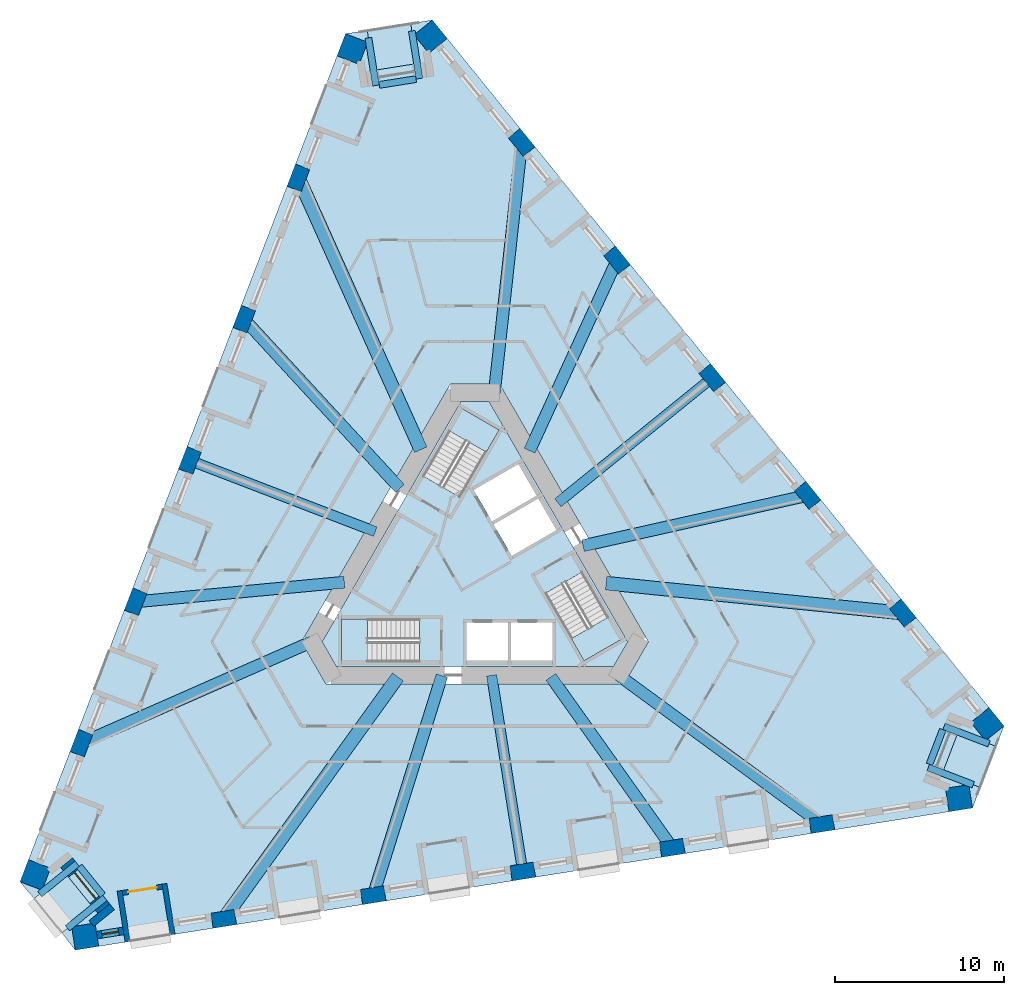
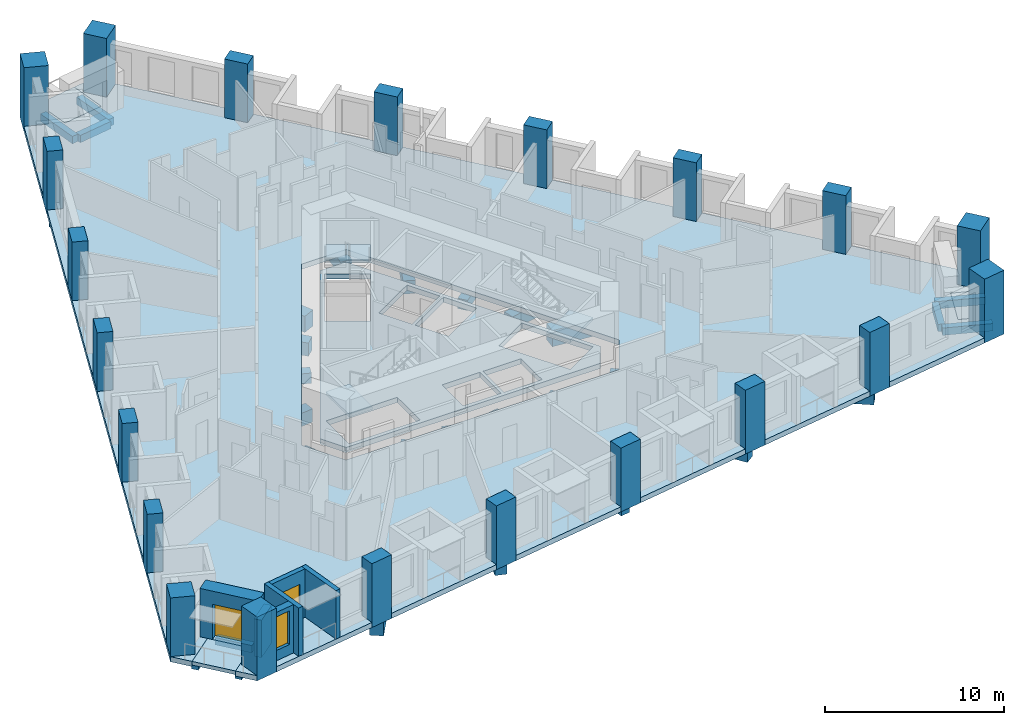
# One storey, part 1 of 13: 24 beams, 21 columns, 8 slabs, 6 walls, 2 doors, 1 window, 3 openings, 3 elements without a shape of their own.
"""IFC4 building model written with IfcOpenShell, lengths in metres."""

from ifc_helpers import new_model, si_unit, direction, frame, frame_2d, origin, origin_2d, place, context, subcontext, project, spatial, polyline, rectangle, outline, extrude, material, layer, layer_set, material_profile, profile_set, type_object, element, fill, aggregate, save


model = new_model("IFC4")

# Units and contexts
model_context = context("Model", 3, precision=1e-05, world=origin(), true_north=direction((0.0, 1.0)))
body_context = subcontext(model_context, "Body", "Model", "MODEL_VIEW")
ifc_project = project(units=[si_unit("LENGTHUNIT", "METRE"), si_unit("AREAUNIT", "SQUARE_METRE"), si_unit("VOLUMEUNIT", "CUBIC_METRE"), si_unit("PLANEANGLEUNIT", "RADIAN"), si_unit("MASSUNIT", "GRAM", prefix="KILO")], contexts=[model_context])

# Site, building, storey
site_placement = place(None, origin())
site = spatial("IfcSite", under=ifc_project, at=site_placement, CompositionType="ELEMENT")
building_placement = place(site_placement, origin())
building = spatial("IfcBuilding", under=site, at=building_placement, Name="Tramontana Tower", CompositionType="ELEMENT")
storey_placement = place(building_placement, frame((0.0, 0.0, 51.199951171875)))
storey = spatial("IfcBuildingStorey", under=building, at=storey_placement, Name="L10", CompositionType="ELEMENT", Elevation=51.199951171875)

# Columns
ifc_material_1 = material(Name="Concrete 70 MPa", Category="concrete")
ifc_material_profile_1 = material_profile(ifc_material_1, rectangle(XDim=1.39990234375, YDim=1.39990234375, at=origin_2d()), Name="Mega column 1400X1400 70 MPa")
ifc_profile_set_1 = profile_set([ifc_material_profile_1], Name="Concrete 70 MPa")
column_type_1 = type_object("IfcColumnType", Name="Mega column 1400X1400 70 MPa", PredefinedType="COLUMN", material=ifc_profile_set_1)
for number, where, z_axis, x_axis, name in (
    (1, (-7.24755859375, 30.7890625, -0.349853515625), (0.0, 0.0, 1.0), (-0.358367949545, -0.933580426497, 0.0), "Mega column C1K1 L10"),
    (2, (-25.98779296875, -18.03125, -0.349853515625), (0.0, 0.0, 1.0), (-0.358367949545, -0.933580426497, 0.0), "Mega column C1K2 L10"),
    (3, (-23.040283203125, -21.671142578125, -0.349853515625), (0.0, 0.0, 1.0), (0.987688340595, 0.15643446504, 0.0), "Mega column C1K3 L10"),
    (4, (28.609375, -13.490478515625, -0.349853515625), (0.0, 0.0, 1.0), (0.987688340595, 0.15643446504, 0.0), "Mega column C1K4 L10"),
    (5, (30.287841796875, -9.117919921875, -0.349853515625), (0.0, 0.0, 1.0), (-0.62932039105, 0.777145961457, 0.0), "Mega column C1K5 L10"),
    (6, (-2.62158203125, 31.521728515625, -0.349853515625), (0.0, 0.0, 1.0), (-0.62932039105, 0.777145961457, 0.0), "Mega column C1K6 L10"),
):
    element("IfcColumn", number, at=place(storey_placement, frame(where, z_axis=z_axis, x_axis=x_axis)), inside=storey, type_object=column_type_1, Name=name, PredefinedType="COLUMN", context=body_context, shape_type="SweptSolid", body=[
        extrude(rectangle(XDim=1.39990234375, YDim=1.39990234375, at=origin_2d()), origin(), (0.0, 0.0, 1.0), 4.349853515625),
    ])
ifc_material_2 = material(Name="Concrete 55 MPa", Category="concrete")
ifc_material_profile_2 = material_profile(ifc_material_2, rectangle(XDim=1.39990234375, YDim=0.89990234375, at=origin_2d()), Name="Pier column 1400X900 55 MPa")
ifc_profile_set_2 = profile_set([ifc_material_profile_2], Name="Concrete 55 MPa")
column_type_2 = type_object("IfcColumnType", Name="Pier column 1400X900 55 MPa", PredefinedType="COLUMN", material=ifc_profile_set_2)
for number, where, z_axis, x_axis, name in (
    (7, (-10.43701171875, 23.177734375, -0.349853515625), (0.0, 0.0, 1.0), (-0.358367949545, -0.933580426497, 0.0), "Pier column C1F01 L10"),
    (8, (-13.64404296875, 14.822998046875, -0.349853515625), (0.0, 0.0, 1.0), (-0.358367949545, -0.933580426497, 0.0), "Pier column C1F02 L10"),
    (9, (-16.85107421875, 6.468505859375, -0.349853515625), (0.0, 0.0, 1.0), (-0.358367949545, -0.933580426497, 0.0), "Pier column C1F03 L10"),
    (10, (-20.05810546875, -1.885986328125, -0.349853515625), (0.0, 0.0, 1.0), (-0.358367949545, -0.933580426497, 0.0), "Pier column C1F04 L10"),
    (11, (-23.26513671875, -10.240478515625, -0.349853515625), (0.0, 0.0, 1.0), (-0.358367949545, -0.933580426497, 0.0), "Pier column C1F05 L10"),
    (12, (-14.853759765625, -20.627685546875, -0.349853515625), (0.0, 0.0, 1.0), (0.987688340595, 0.15643446504, 0.0), "Pier column C1F06 L10"),
    (13, (-6.01513671875, -19.227783203125, -0.349853515625), (0.0, 0.0, 1.0), (0.987688340595, 0.15643446504, 0.0), "Pier column C1F07 L10"),
    (14, (2.82373046875, -17.827880859375, -0.349853515625), (0.0, 0.0, 1.0), (0.987688340595, 0.15643446504, 0.0), "Pier column C1F08 L10"),
    (15, (11.662353515625, -16.427734375, -0.349853515625), (0.0, 0.0, 1.0), (0.987688340595, 0.15643446504, 0.0), "Pier column C1F09 L10"),
    (16, (20.501220703125, -15.02783203125, -0.349853515625), (0.0, 0.0, 1.0), (0.987688340595, 0.15643446504, 0.0), "Pier column C1F10 L10"),
    (17, (25.291015625, -2.550048828125, -0.349853515625), (0.0, 0.0, 1.0), (-0.62932039105, 0.777145961457, 0.0), "Pier column C1F11 L10"),
    (18, (19.6591796875, 4.404541015625, -0.349853515625), (0.0, 0.0, 1.0), (-0.62932039105, 0.777145961457, 0.0), "Pier column C1F12 L10"),
    (19, (14.027587890625, 11.359130859375, -0.349853515625), (0.0, 0.0, 1.0), (-0.62932039105, 0.777145961457, 0.0), "Pier column C1F13 L10"),
    (20, (8.395751953125, 18.31396484375, -0.349853515625), (0.0, 0.0, 1.0), (-0.62932039105, 0.777145961457, 0.0), "Pier column C1F14 L10"),
    (21, (2.763916015625, 25.2685546875, -0.349853515625), (0.0, 0.0, 1.0), (-0.62932039105, 0.777145961457, 0.0), "Pier column C1F15 L10"),
):
    element("IfcColumn", number, at=place(storey_placement, frame(where, z_axis=z_axis, x_axis=x_axis)), inside=storey, type_object=column_type_2, Name=name, PredefinedType="COLUMN", context=body_context, shape_type="SweptSolid", body=[
        extrude(rectangle(XDim=1.39990234375, YDim=0.89990234375, at=origin_2d()), origin(), (0.0, 0.0, 1.0), 4.349853515625),
    ])

# Beams
ifc_material_3 = material(Name="Concrete 40 MPa", Category="concrete")
ifc_material_profile_3 = material_profile(ifc_material_3, rectangle(XDim=0.60009765625, YDim=0.699951171875, at=origin_2d()), Name="RC GIRDER 600X700 40 MPa")
ifc_profile_set_3 = profile_set([ifc_material_profile_3], Name="Concrete 40 MPa")
beam_type_1 = type_object("IfcBeamType", Name="RC GIRDER 600X700 40 MPa", PredefinedType="BEAM", material=ifc_profile_set_3)
beam_1_placement = place(storey_placement, frame((-16.85107421875, 6.468505859375, -0.699951171875), z_axis=(0.933580146246, -0.358368679624, 0.0), x_axis=(0.358368679624, 0.933580146246, 0.0)))
element("IfcBeam", 22, at=beam_1_placement, inside=storey, type_object=beam_type_1, Name="Radial girder C1F03 L10", PredefinedType="BEAM", context=body_context, shape_type="SweptSolid", body=[
    extrude(rectangle(XDim=0.60009765625, YDim=0.699951171875, at=origin_2d()), origin(), (0.0, 0.0, 1.0), 11.74072265625),
])
for number, where, z_axis, x_axis, name in (
    (23, (2.823486328125, -17.827880859375, -0.699951171875), (-0.156412100064, 0.9876918826, 0.0), (-0.9876918826, -0.156412100064, 0.0), "Radial girder C1F08 L10"),
    (24, (14.027587890625, 11.359130859375, -0.699951171875), (-0.777154793409, -0.62930948434, 0.0), (0.62930948434, -0.777154793409, 0.0), "Radial girder C1F13 L10"),
):
    element("IfcBeam", number, at=place(storey_placement, frame(where, z_axis=z_axis, x_axis=x_axis)), inside=storey, type_object=beam_type_1, Name=name, PredefinedType="BEAM", context=body_context, shape_type="SweptSolid", body=[
        extrude(rectangle(XDim=0.60009765625, YDim=0.699951171875, at=origin_2d()), origin(), (0.0, 0.0, 1.0), 11.740966796875),
    ])
ifc_material_4 = material(Name="Concrete 40 MPa", Category="concrete")
ifc_material_profile_4 = material_profile(ifc_material_4, rectangle(XDim=0.699951171875, YDim=0.89990234375, at=origin_2d()), Name="RC GIRDER 700X900 40 MPa")
ifc_profile_set_4 = profile_set([ifc_material_profile_4], Name="Concrete 40 MPa")
beam_type_2 = type_object("IfcBeamType", Name="RC GIRDER 700X900 40 MPa", PredefinedType="BEAM", material=ifc_profile_set_4)
beam_2_placement = place(storey_placement, frame((-13.64404296875, 14.822998046875, -0.800048828125), z_axis=(0.677237750705, -0.735764248261, 0.0), x_axis=(0.735764248261, 0.677237750705, 0.0)))
element("IfcBeam", 25, at=beam_2_placement, inside=storey, type_object=beam_type_2, Name="Radial girder C1F02 L10", PredefinedType="BEAM", context=body_context, shape_type="SweptSolid", body=[
    extrude(rectangle(XDim=0.699951171875, YDim=0.89990234375, at=origin_2d()), origin(), (0.0, 0.0, 1.0), 13.598876953125),
])
beam_3_placement = place(storey_placement, frame((-20.05810546875, -1.885986328125, -0.800048828125), z_axis=(0.995608960431, 0.093609817375, 0.0), x_axis=(-0.093609817375, 0.995608960431, 0.0)))
element("IfcBeam", 26, at=beam_3_placement, inside=storey, type_object=beam_type_2, Name="Radial girder C1F04 L10", PredefinedType="BEAM", context=body_context, shape_type="SweptSolid", body=[
    extrude(rectangle(XDim=0.699951171875, YDim=0.89990234375, at=origin_2d()), origin(), (0.0, 0.0, 1.0), 12.3935546875),
])
beam_4_placement = place(storey_placement, frame((-23.26513671875, -10.240478515625, -0.800048828125), z_axis=(0.915262520168, 0.402857939199, 0.0), x_axis=(-0.402857939199, 0.915262520168, 0.0)))
element("IfcBeam", 27, at=beam_4_placement, inside=storey, type_object=beam_type_2, Name="Radial girder C1F05 L10", PredefinedType="BEAM", context=body_context, shape_type="SweptSolid", body=[
    extrude(rectangle(XDim=0.699951171875, YDim=0.89990234375, at=origin_2d()), origin(), (0.0, 0.0, 1.0), 14.87841796875),
])
beam_5_placement = place(storey_placement, frame((-6.01513671875, -19.227783203125, -0.800048828125), z_axis=(0.298567329493, 0.954388573779, 0.0), x_axis=(-0.954388573779, 0.298567329493, 0.0)))
element("IfcBeam", 28, at=beam_5_placement, inside=storey, type_object=beam_type_2, Name="Radial girder C1F07 L10", PredefinedType="BEAM", context=body_context, shape_type="SweptSolid", body=[
    extrude(rectangle(XDim=0.699951171875, YDim=0.89990234375, at=origin_2d()), origin(), (0.0, 0.0, 1.0), 13.599365234375),
])
beam_6_placement = place(storey_placement, frame((11.662353515625, -16.427978515625, -0.800048828125), z_axis=(-0.578872935906, 0.815417760461, 0.0), x_axis=(-0.815417760461, -0.578872935906, 0.0)))
element("IfcBeam", 29, at=beam_6_placement, inside=storey, type_object=beam_type_2, Name="Radial girder C1F09 L10", PredefinedType="BEAM", context=body_context, shape_type="SweptSolid", body=[
    extrude(rectangle(XDim=0.699951171875, YDim=0.89990234375, at=origin_2d()), origin(), (0.0, 0.0, 1.0), 12.3935546875),
])
beam_7_placement = place(storey_placement, frame((20.501220703125, -15.02783203125, -0.800048828125), z_axis=(-0.806528613825, 0.591195056712, 0.0), x_axis=(-0.591195056712, -0.806528613825, 0.0)))
element("IfcBeam", 30, at=beam_7_placement, inside=storey, type_object=beam_type_2, Name="Radial girder C1F10 L10", PredefinedType="BEAM", context=body_context, shape_type="SweptSolid", body=[
    extrude(rectangle(XDim=0.699951171875, YDim=0.89990234375, at=origin_2d()), origin(), (0.0, 0.0, 1.0), 14.878662109375),
])
beam_8_placement = place(storey_placement, frame((19.6591796875, 4.404541015625, -0.800048828125), z_axis=(-0.975807938002, -0.218629522556, 0.0), x_axis=(0.218629522556, -0.975807938002, 0.0)))
element("IfcBeam", 31, at=beam_8_placement, inside=storey, type_object=beam_type_2, Name="Radial girder C1F12 L10", PredefinedType="BEAM", context=body_context, shape_type="SweptSolid", body=[
    extrude(rectangle(XDim=0.699951171875, YDim=0.89990234375, at=origin_2d()), origin(), (0.0, 0.0, 1.0), 13.59912109375),
])
beam_9_placement = place(storey_placement, frame((8.395751953125, 18.31396484375, -0.800048828125), z_axis=(-0.416724572993, -0.909032799333, 0.0), x_axis=(0.909032799333, -0.416724572993, 0.0)))
element("IfcBeam", 32, at=beam_9_placement, inside=storey, type_object=beam_type_2, Name="Radial girder C1F14 L10", PredefinedType="BEAM", context=body_context, shape_type="SweptSolid", body=[
    extrude(rectangle(XDim=0.699951171875, YDim=0.89990234375, at=origin_2d()), origin(), (0.0, 0.0, 1.0), 12.393798828125),
])
beam_10_placement = place(storey_placement, frame((2.763916015625, 25.2685546875, -0.800048828125), z_axis=(-0.108724057734, -0.994071968858, 0.0), x_axis=(0.994071968858, -0.108724057734, 0.0)))
element("IfcBeam", 33, at=beam_10_placement, inside=storey, type_object=beam_type_2, Name="Radial girder C1F15 L10", PredefinedType="BEAM", context=body_context, shape_type="SweptSolid", body=[
    extrude(rectangle(XDim=0.699951171875, YDim=0.89990234375, at=origin_2d()), origin(), (0.0, 0.0, 1.0), 14.878662109375),
])
ifc_material_5 = material(Name="Concrete 40 MPa", Category="concrete")
ifc_material_profile_5 = material_profile(ifc_material_5, rectangle(XDim=0.800048828125, YDim=1.10009765625, at=origin_2d()), Name="RC GIRDER 800X1100 40 MPa")
ifc_profile_set_5 = profile_set([ifc_material_profile_5], Name="Concrete 40 MPa")
beam_type_3 = type_object("IfcBeamType", Name="RC GIRDER 800X1100 40 MPa", PredefinedType="BEAM", material=ifc_profile_set_5)
for number, where, z_axis, x_axis, name in (
    (34, (-10.43701171875, 23.177490234375, -0.89990234375), (0.410600793892, -0.91181521596, 0.0), (0.91181521596, 0.410600793892, 0.0), "Radial girder C1F01 L10"),
    (35, (-14.85400390625, -20.627685546875, -0.89990234375), (0.584356173005, 0.81149729702, 0.0), (-0.81149729702, 0.584356173005, 0.0), "Radial girder C1F06 L10"),
    (36, (25.291015625, -2.550048828125, -0.89990234375), (-0.99495498196, 0.100322399654, 0.0), (-0.100322399654, -0.99495498196, 0.0), "Radial girder C1F11 L10"),
):
    element("IfcBeam", number, at=place(storey_placement, frame(where, z_axis=z_axis, x_axis=x_axis)), inside=storey, type_object=beam_type_3, Name=name, PredefinedType="BEAM", context=body_context, shape_type="SweptSolid", body=[
        extrude(rectangle(XDim=0.800048828125, YDim=1.10009765625, at=origin_2d()), origin(), (0.0, 0.0, 1.0), 17.626220703125),
    ])
ifc_material_6 = material(Name="Concrete 40 MPa", Category="concrete")
ifc_material_profile_6 = material_profile(ifc_material_6, rectangle(XDim=0.39990234375, YDim=0.5, at=origin_2d()), Name="RC TRIM BEAM 400X500 40 MPa")
ifc_profile_set_6 = profile_set([ifc_material_profile_6], Name="Concrete 40 MPa")
beam_type_4 = type_object("IfcBeamType", Name="RC TRIM BEAM 400X500 40 MPa", PredefinedType="JOIST", material=ifc_profile_set_6)
beam_11_placement = place(storey_placement, frame((-3.4814453125, 29.0126953125, -0.599853515625), z_axis=(-0.98768185006, -0.156475439167, 0.0), x_axis=(0.156475439167, -0.98768185006, 0.0)))
element("IfcBeam", 37, at=beam_11_placement, inside=storey, type_object=beam_type_4, Name="Trimmer beam K0 L10", PredefinedType="JOIST", context=body_context, shape_type="SweptSolid", body=[
    extrude(rectangle(XDim=0.39990234375, YDim=0.5, at=origin_2d()), origin(), (0.0, 0.0, 1.0), 2.199951171875),
])
beam_12_placement = place(storey_placement, frame((-3.729736328125, 31.85888671875, -0.599853515625), z_axis=(0.156420041726, -0.987690624916, 0.0), x_axis=(0.987690624916, 0.156420041726, 0.0)))
element("IfcBeam", 38, at=beam_12_placement, inside=storey, type_object=beam_type_4, Name="Tray beam K0L L10", PredefinedType="JOIST", context=body_context, shape_type="SweptSolid", body=[
    extrude(rectangle(XDim=0.39990234375, YDim=0.5, at=origin_2d()), origin(), (0.0, 0.0, 1.0), 2.85009765625),
])
beam_13_placement = place(storey_placement, frame((-6.297607421875, 31.451904296875, -0.599853515625), z_axis=(0.156433277253, -0.987688528721, 0.0), x_axis=(0.987688528721, 0.156433277253, 0.0)))
element("IfcBeam", 39, at=beam_13_placement, inside=storey, type_object=beam_type_4, Name="Tray beam K0R L10", PredefinedType="JOIST", context=body_context, shape_type="SweptSolid", body=[
    extrude(rectangle(XDim=0.39990234375, YDim=0.5, at=origin_2d()), origin(), (0.0, 0.0, 1.0), 2.849853515625),
])
beam_14_placement = place(storey_placement, frame((-23.385009765625, -17.521240234375, -0.599853515625), z_axis=(0.629325914736, -0.777141488432, 0.0), x_axis=(0.777141488432, 0.629325914736, 0.0)))
element("IfcBeam", 40, at=beam_14_placement, inside=storey, type_object=beam_type_4, Name="Trimmer beam K1 L10", PredefinedType="JOIST", context=body_context, shape_type="SweptSolid", body=[
    extrude(rectangle(XDim=0.39990234375, YDim=0.5, at=origin_2d()), origin(), (0.0, 0.0, 1.0), 2.199951171875),
])
for number, where, z_axis, x_axis, name in (
    (41, (-25.7255859375, -19.159423828125, -0.599853515625), (0.777161075521, 0.629301726276, 0.0), (-0.629301726276, 0.777161075521, 0.0), "Tray beam K1L L10"),
    (42, (-24.08935546875, -21.179931640625, -0.599853515625), (0.777161075521, 0.629301726276, 0.0), (-0.629301726276, 0.777161075521, 0.0), "Tray beam K1R L10"),
):
    element("IfcBeam", number, at=place(storey_placement, frame(where, z_axis=z_axis, x_axis=x_axis)), inside=storey, type_object=beam_type_4, Name=name, PredefinedType="JOIST", context=body_context, shape_type="SweptSolid", body=[
        extrude(rectangle(XDim=0.39990234375, YDim=0.5, at=origin_2d()), origin(), (0.0, 0.0, 1.0), 2.849853515625),
    ])
beam_15_placement = place(storey_placement, frame((26.8662109375, -11.4912109375, -0.599853515625), z_axis=(0.358458457268, 0.933545678804, 0.0), x_axis=(-0.933545678804, 0.358458457268, 0.0)))
element("IfcBeam", 43, at=beam_15_placement, inside=storey, type_object=beam_type_4, Name="Trimmer beam K2 L10", PredefinedType="JOIST", context=body_context, shape_type="SweptSolid", body=[
    extrude(rectangle(XDim=0.39990234375, YDim=0.5, at=origin_2d()), origin(), (0.0, 0.0, 1.0), 2.199951171875),
])
beam_16_placement = place(storey_placement, frame((29.455322265625, -12.69921875, -0.599853515625), z_axis=(-0.933590464736, 0.358341797944, 0.0), x_axis=(-0.358341797944, -0.933590464736, 0.0)))
element("IfcBeam", 44, at=beam_16_placement, inside=storey, type_object=beam_type_4, Name="Tray beam K2L L10", PredefinedType="JOIST", context=body_context, shape_type="SweptSolid", body=[
    extrude(rectangle(XDim=0.39990234375, YDim=0.5, at=origin_2d()), origin(), (0.0, 0.0, 1.0), 2.849853515625),
])
beam_17_placement = place(storey_placement, frame((30.38720703125, -10.27197265625, -0.599853515625), z_axis=(-0.933601463717, 0.358313140905, 0.0), x_axis=(-0.358313140905, -0.933601463717, 0.0)))
element("IfcBeam", 45, at=beam_17_placement, inside=storey, type_object=beam_type_4, Name="Tray beam K2R L10", PredefinedType="JOIST", context=body_context, shape_type="SweptSolid", body=[
    extrude(rectangle(XDim=0.39990234375, YDim=0.5, at=origin_2d()), origin(), (0.0, 0.0, 1.0), 2.85009765625),
])

# Slabs
ifc_material_7 = material(Name="Precast concrete 50 MPa", Category="concrete")
ifc_layer_1 = layer(ifc_material_7, 0.25)
ifc_layer_set_1 = layer_set([ifc_layer_1], Name="LT1 Loggia floor tray 250")
slab_type_1 = type_object("IfcSlabType", Name="LT1 Loggia floor tray 250", PredefinedType="FLOOR", material=ifc_layer_set_1)
slab_1_placement = place(storey_placement, frame((0.0, 0.0, -0.25)))
element("IfcSlab", 46, at=slab_1_placement, inside=storey, type_object=slab_type_1, Name="Corner loggia floor L10 K10", PredefinedType="FLOOR", context=body_context, shape_type="SweptSolid", body=[
    extrude(outline(polyline([(-3.800048828125, 32.30322265625), (-3.424560546875, 29.932861328125), (-5.99267578125, 29.526123046875), (-6.3681640625, 31.896484375), (-3.800048828125, 32.30322265625)])), origin(), (0.0, 0.0, 1.0), 0.25),
])
slab_2_placement = place(storey_placement, frame((0.0, 0.0, -0.25)))
element("IfcSlab", 47, at=slab_2_placement, inside=storey, type_object=slab_type_1, Name="Corner loggia floor L10 K11", PredefinedType="FLOOR", context=body_context, shape_type="SweptSolid", body=[
    extrude(outline(polyline([(-26.075439453125, -19.442626953125), (-24.210205078125, -17.932373046875), (-22.573974609375, -19.952880859375), (-24.439208984375, -21.463134765625), (-26.075439453125, -19.442626953125)])), origin(), (0.0, 0.0, 1.0), 0.25),
])
slab_3_placement = place(storey_placement, frame((0.0, 0.0, -0.25)))
element("IfcSlab", 48, at=slab_3_placement, inside=storey, type_object=slab_type_1, Name="Corner loggia floor L10 K12", PredefinedType="FLOOR", context=body_context, shape_type="SweptSolid", body=[
    extrude(outline(polyline([(29.87548828125, -12.860595703125), (27.635009765625, -12.00048828125), (28.566650390625, -9.5732421875), (30.80712890625, -10.433349609375), (29.87548828125, -12.860595703125)])), origin(), (0.0, 0.0, 1.0), 0.25),
])
ifc_material_8 = material(Name="Concrete 40 MPa", Category="concrete")
ifc_layer_2 = layer(ifc_material_8, 0.35009765625)
ifc_layer_set_2 = layer_set([ifc_layer_2], Name="PT FLAT SLAB 350 40 MPa")
slab_type_2 = type_object("IfcSlabType", Name="PT FLAT SLAB 350 40 MPa", PredefinedType="FLOOR", material=ifc_layer_set_2)
slab_4_placement = place(storey_placement, frame((0.0, 0.0, -0.349853515625)))
element("IfcSlab", 49, at=slab_4_placement, inside=storey, type_object=slab_type_2, Name="Floor slab L10", PredefinedType="FLOOR", context=body_context, shape_type="SweptSolid", body=[
    extrude(outline(polyline([(30.80712890625, -10.433349609375), (28.566650390625, -9.5732421875), (27.635009765625, -12.00048828125), (29.87548828125, -12.860595703125), (29.410400390625, -14.072509765625), (-23.622314453125, -22.471923828125), (-24.439208984375, -21.463134765625), (-22.573974609375, -19.952880859375), (-24.210205078125, -17.932373046875), (-26.075439453125, -19.442626953125), (-26.892333984375, -18.433837890625), (-7.650146484375, 31.693359375), (-6.3681640625, 31.896484375), (-5.99267578125, 29.526123046875), (-3.4248046875, 29.932861328125), (-3.800048828125, 32.30322265625), (-2.51806640625, 32.50634765625), (31.2724609375, -9.221435546875), (30.80712890625, -10.433349609375)]), holes=[polyline([(-10.248046875, -4.25), (-8.8046875, -6.75), (8.8046875, -6.75), (10.248046875, -4.25), (1.443359375, 11.0), (-1.443359375, 11.0), (-10.248046875, -4.25)])]), origin(), (0.0, 0.0, 1.0), 0.349853515625),
])
slab_5_placement = place(storey_placement, frame((0.0, 0.0, -0.349853515625)))
element("IfcSlab", 50, at=slab_5_placement, inside=storey, type_object=slab_type_2, Name="Core floor slab L10", PredefinedType="FLOOR", context=body_context, shape_type="SweptSolid", body=[
    extrude(outline(polyline([(9.035400390625, -4.25), (8.198486328125, -5.699951171875), (-8.198486328125, -5.699951171875), (-9.035400390625, -4.25), (-0.837158203125, 9.949951171875), (0.837158203125, 9.949951171875), (9.035400390625, -4.25)]), holes=[polyline([(8.659912109375, -4.099365234375), (6.35986328125, -0.115478515625), (4.151611328125, -1.390625), (6.451416015625, -5.374267578125), (8.659912109375, -4.099365234375)]), polyline([(3.829833984375, 4.2666015625), (1.101806640625, 2.69140625), (2.177001953125, 0.82958984375), (4.90478515625, 2.404541015625), (3.829833984375, 4.2666015625)]), polyline([(4.590087890625, -3.10009765625), (2.139892578125, -3.10009765625), (2.139892578125, -5.449951171875), (4.590087890625, -5.449951171875), (4.590087890625, -3.10009765625)]), polyline([(2.65478515625, 6.3017578125), (-0.072998046875, 4.726806640625), (1.001953125, 2.86474609375), (3.729736328125, 4.439697265625), (2.65478515625, 6.3017578125)]), polyline([(1.93994140625, -5.449951171875), (1.93994140625, -3.10009765625), (-0.510009765625, -3.10009765625), (-0.510009765625, -5.449951171875), (1.93994140625, -5.449951171875)]), polyline([(-0.77978515625, 9.54931640625), (-3.079833984375, 5.565673828125), (-0.87158203125, 4.29052734375), (1.428466796875, 8.2744140625), (-0.77978515625, 9.54931640625)]), polyline([(-7.8798828125, -5.449951171875), (-3.280029296875, -5.449951171875), (-3.280029296875, -2.89990234375), (-7.8798828125, -2.89990234375), (-7.8798828125, -5.449951171875)])]), origin(), (0.0, 0.0, 1.0), 0.349853515625),
])

# Stair, slab
ifc_material_9 = material(Name="Concrete 40 MPa", Category="concrete")
stair_type = type_object("IfcStairType", Name="EXIT STAIR 24 RISERS", PredefinedType="HALF_TURN_STAIR", material=ifc_material_9)
stair_1_placement = place(storey_placement, origin())
stair_1 = element("IfcStair", 51, at=stair_1_placement, inside=storey, type_object=stair_type, Name="L10 Exit stair ST1", PredefinedType="HALF_TURN_STAIR")
ifc_material_10 = material(Name="Concrete 40 MPa", Category="concrete")
ifc_layer_3 = layer(ifc_material_10, 0.199951171875)
ifc_layer_set_3 = layer_set([ifc_layer_3], Name="STAIR LANDING 200")
slab_type_3 = type_object("IfcSlabType", Name="STAIR LANDING 200", PredefinedType="LANDING", material=ifc_layer_set_3)
slab_6_placement = place(storey_placement, frame((0.0, 0.0, 1.800048828125)))
slab_6 = element("IfcSlab", 52, at=slab_6_placement, type_object=slab_type_3, Name="ST1 landing 1", PredefinedType="LANDING", context=body_context, shape_type="SweptSolid", body=[
    extrude(outline(polyline([(0.66845703125, 6.9580078125), (1.428466796875, 8.274169921875), (-0.77978515625, 9.54931640625), (-1.539794921875, 8.23291015625), (0.66845703125, 6.9580078125)])), origin(), (0.0, 0.0, 1.0), 0.199951171875),
])
aggregate(stair_1, [slab_6])

stair_2_placement = place(storey_placement, origin())
stair_2 = element("IfcStair", 53, at=stair_2_placement, inside=storey, type_object=stair_type, Name="L10 Exit stair ST2", PredefinedType="HALF_TURN_STAIR")
slab_7_placement = place(storey_placement, frame((0.0, 0.0, 1.800048828125)))
slab_7 = element("IfcSlab", 54, at=slab_7_placement, type_object=slab_type_3, Name="ST2 landing 1", PredefinedType="LANDING", context=body_context, shape_type="SweptSolid", body=[
    extrude(outline(polyline([(-6.360107421875, -2.89990234375), (-7.8798828125, -2.89990234375), (-7.8798828125, -5.449951171875), (-6.360107421875, -5.449951171875), (-6.360107421875, -2.89990234375)])), origin(), (0.0, 0.0, 1.0), 0.199951171875),
])
aggregate(stair_2, [slab_7])

stair_3_placement = place(storey_placement, origin())
stair_3 = element("IfcStair", 55, at=stair_3_placement, inside=storey, type_object=stair_type, Name="L10 Exit stair ST3", PredefinedType="HALF_TURN_STAIR")
slab_8_placement = place(storey_placement, frame((0.0, 0.0, 1.800048828125)))
slab_8 = element("IfcSlab", 56, at=slab_8_placement, type_object=slab_type_3, Name="ST3 landing 1", PredefinedType="LANDING", context=body_context, shape_type="SweptSolid", body=[
    extrude(outline(polyline([(5.69140625, -4.057861328125), (6.451416015625, -5.374267578125), (8.659912109375, -4.099365234375), (7.89990234375, -2.782958984375), (5.69140625, -4.057861328125)])), origin(), (0.0, 0.0, 1.0), 0.199951171875),
])
aggregate(stair_3, [slab_8])

# Wall, opening, window
ifc_material_11 = material(Name="Precast concrete 60 MPa", Category="concrete")
ifc_layer_4 = layer(ifc_material_11, 0.449951171875)
ifc_layer_set_4 = layer_set([ifc_layer_4], Name="Precast concrete 60 MPa, 450 mm")
wall_type_1 = type_object("IfcWallType", Name="EW1 Stone-faced precast wall 450", PredefinedType="SOLIDWALL", material=ifc_layer_set_4)
wall_1_placement = place(storey_placement, frame((-22.344970703125, -21.586181640625, 0.0), z_axis=(0.0, 0.0, 1.0), x_axis=(0.987695344573, 0.156390237257, 0.0)))
wall_1 = element("IfcWall", 57, at=wall_1_placement, inside=storey, type_object=wall_type_1, Name="External wall L10 face 1 bay 1", PredefinedType="SOLIDWALL", context=body_context, shape_type="SweptSolid", body=[
    extrude(rectangle(XDim=1.5830078125, YDim=0.449951171875, at=frame_2d((0.79150390625, 0.0))), origin(), (0.0, 0.0, 1.0), 3.300048828125),
])
opening_1_placement = place(wall_1_placement, frame((0.29150390625, 0.0, 0.699951171875)))
opening_1 = element("IfcOpeningElement", 58, at=opening_1_placement, cuts=wall_1, Name="Opening N1", PredefinedType="OPENING", context=body_context, shape_type="SweptSolid", body=[
    extrude(rectangle(XDim=1.0, YDim=2.300048828125, at=frame_2d((0.5, 1.14990234375))), frame((0.0, 0.23486328125, 0.0), z_axis=(0.0, -1.0, 0.0), x_axis=(1.0, 0.0, 0.0)), (0.0, 0.0, 1.0), 0.469970703125),
])
ifc_material_12 = material(Name="Aluminum frame, double glazing unit", Category="aluminium")
window_type = type_object("IfcWindowType", Name="N1 Window 1 x 2.3", PartitioningType="SINGLE_PANEL", PredefinedType="WINDOW", material=ifc_material_12)
window_placement = place(opening_1_placement, origin())
window = element("IfcWindow", 59, at=window_placement, inside=storey, type_object=window_type, Name="Window N1 L10 face 1 module 1", OverallHeight=2.300048828125, OverallWidth=1.0, PartitioningType="SINGLE_PANEL", PredefinedType="WINDOW", context=body_context, shape_type="SweptSolid", body=[
    extrude(rectangle(XDim=1.0, YDim=2.300048828125, at=frame_2d((0.5, 1.14990234375))), frame((0.0, 0.030029296875, 0.0), z_axis=(0.0, -1.0, 0.0), x_axis=(1.0, 0.0, 0.0)), (0.0, 0.0, 1.0), 0.06005859375),
])
fill(opening_1, window)

# Wall
wall_2_placement = place(storey_placement, frame((-22.677001953125, -20.90478515625, 0.0), z_axis=(0.0, 0.0, 1.0), x_axis=(0.777205264571, 0.629247150747, 0.0)))
element("IfcWall", 60, at=wall_2_placement, inside=storey, type_object=wall_type_1, Name="Corner loggia side wall L10 K11l", PredefinedType="SOLIDWALL", context=body_context, shape_type="SweptSolid", body=[
    extrude(rectangle(XDim=1.5791015625, YDim=0.449951171875, at=frame_2d((0.78955078125, 0.0))), origin(), (0.0, 0.0, 1.0), 2.550048828125),
])

# Wall, opening, door
ifc_material_13 = material(Name="Precast concrete 60 MPa", Category="concrete")
ifc_layer_5 = layer(ifc_material_13, 0.89990234375)
ifc_layer_set_5 = layer_set([ifc_layer_5], Name="EW2 Stone-faced corner loggia wall 900")
wall_type_2 = type_object("IfcWallType", Name="EW2 Stone-faced corner loggia wall 900", PredefinedType="SOLIDWALL", material=ifc_layer_set_5)
wall_3_placement = place(storey_placement, frame((-21.941162109375, -20.019287109375, 0.0), z_axis=(0.0, 0.0, 1.0), x_axis=(-0.629328651904, 0.777139271876, 0.0)))
wall_3 = element("IfcWall", 61, at=wall_3_placement, inside=storey, type_object=wall_type_2, Name="Corner loggia wall L10 K11", PredefinedType="SOLIDWALL", context=body_context, shape_type="SweptSolid", body=[
    extrude(rectangle(XDim=3.5, YDim=0.89990234375, at=frame_2d((1.75, 0.0))), origin(), (0.0, 0.0, 1.0), 3.300048828125),
])
opening_2_placement = place(wall_3_placement, frame((0.75, 0.0, 0.0)))
opening_2 = element("IfcOpeningElement", 62, at=opening_2_placement, cuts=wall_3, Name="Opening BD-11C", PredefinedType="OPENING", context=body_context, shape_type="SweptSolid", body=[
    extrude(rectangle(XDim=2.0, YDim=2.39990234375, at=frame_2d((1.0, 1.199951171875))), frame((0.0, 0.4599609375, 0.0), z_axis=(0.0, -1.0, 0.0), x_axis=(1.0, 0.0, 0.0)), (0.0, 0.0, 1.0), 0.919921875),
])
ifc_material_14 = material(Name="Aluminum frame, double glazing unit", Category="aluminium")
door_type_1 = type_object("IfcDoorType", Name="BC1 Sliding door 2 x 2.4", OperationType="SLIDING_TO_LEFT", PredefinedType="DOOR", material=ifc_material_14)
door_1_placement = place(opening_2_placement, origin())
door_1 = element("IfcDoor", 63, at=door_1_placement, inside=storey, type_object=door_type_1, Name="Corner loggia door L10 K11", OperationType="SLIDING_TO_LEFT", OverallHeight=2.39990234375, OverallWidth=2.0, PredefinedType="DOOR", context=body_context, shape_type="SweptSolid", body=[
    extrude(rectangle(XDim=2.0, YDim=2.39990234375, at=frame_2d((1.0, 1.199951171875))), frame((0.0, 0.02490234375, 0.0), z_axis=(0.0, -1.0, 0.0), x_axis=(1.0, 0.0, 0.0)), (0.0, 0.0, 1.0), 0.050048828125),
])
fill(opening_2, door_1)

ifc_material_15 = material(Name="Precast concrete 60 MPa", Category="concrete")
ifc_layer_6 = layer(ifc_material_15, 0.300048828125)
ifc_layer_set_6 = layer_set([ifc_layer_6], Name="LW1 Stone-faced loggia wall 300")
wall_type_3 = type_object("IfcWallType", Name="LW1 Stone-faced loggia wall 300", PredefinedType="SOLIDWALL", material=ifc_layer_set_6)
wall_4_placement = place(storey_placement, frame((-20.833251953125, -19.09423828125, 0.0), z_axis=(0.0, 0.0, 1.0), x_axis=(0.987685586014, 0.156451855793, 0.0)))
wall_4 = element("IfcWall", 64, at=wall_4_placement, inside=storey, type_object=wall_type_3, Name="Loggia wall L10 G1S1.1", PredefinedType="SOLIDWALL", context=body_context, shape_type="SweptSolid", body=[
    extrude(rectangle(XDim=2.3828125, YDim=0.300048828125, at=frame_2d((1.19140625, 0.0))), origin(), (0.0, 0.0, 1.0), 3.300048828125),
])
opening_3_placement = place(wall_4_placement, frame((0.341552734375, 0.0, 0.0)))
opening_3 = element("IfcOpeningElement", 65, at=opening_3_placement, cuts=wall_4, Name="Opening BD-1S1-01", PredefinedType="OPENING", context=body_context, shape_type="SweptSolid", body=[
    extrude(rectangle(XDim=1.699951171875, YDim=2.39990234375, at=frame_2d((0.85009765625, 1.199951171875))), frame((0.0, 0.159912109375, 0.0), z_axis=(0.0, -1.0, 0.0), x_axis=(1.0, 0.0, 0.0)), (0.0, 0.0, 1.0), 0.320068359375),
])
ifc_material_16 = material(Name="Aluminum frame, double glazing unit", Category="aluminium")
door_type_2 = type_object("IfcDoorType", Name="BD1 Sliding door 1.7 x 2.4", OperationType="SLIDING_TO_LEFT", PredefinedType="DOOR", material=ifc_material_16)
door_2_placement = place(opening_3_placement, origin())
door_2 = element("IfcDoor", 66, at=door_2_placement, inside=storey, type_object=door_type_2, Name="Loggia door L10 G1S1.1", OperationType="SLIDING_TO_LEFT", OverallHeight=2.39990234375, OverallWidth=1.699951171875, PredefinedType="DOOR", context=body_context, shape_type="SweptSolid", body=[
    extrude(rectangle(XDim=1.699951171875, YDim=2.39990234375, at=frame_2d((0.85009765625, 1.199951171875))), frame((0.0, 0.02490234375, 0.0), z_axis=(0.0, -1.0, 0.0), x_axis=(1.0, 0.0, 0.0)), (0.0, 0.0, 1.0), 0.050048828125),
])
fill(opening_3, door_2)

# Walls
for number, where, z_axis, x_axis, name in (
    (67, (-20.52783203125, -21.98193359375, 0.0), (0.0, 0.0, 1.0), (-0.156410600741, 0.987692120033, 0.0), "Loggia return L10 G1S1.1a"),
    (68, (-17.8779296875, -21.562255859375, 0.0), (0.0, 0.0, 1.0), (-0.156410600741, 0.987692120033, 0.0), "Loggia return L10 G1S1.1b"),
):
    element("IfcWall", number, at=place(storey_placement, frame(where, z_axis=z_axis, x_axis=x_axis)), inside=storey, type_object=wall_type_3, Name=name, PredefinedType="SOLIDWALL", context=body_context, shape_type="SweptSolid", body=[
        extrude(rectangle(XDim=3.050048828125, YDim=0.300048828125, at=frame_2d((1.52490234375, 0.0))), origin(), (0.0, 0.0, 1.0), 3.300048828125),
    ])

save(model, "model.ifc")
